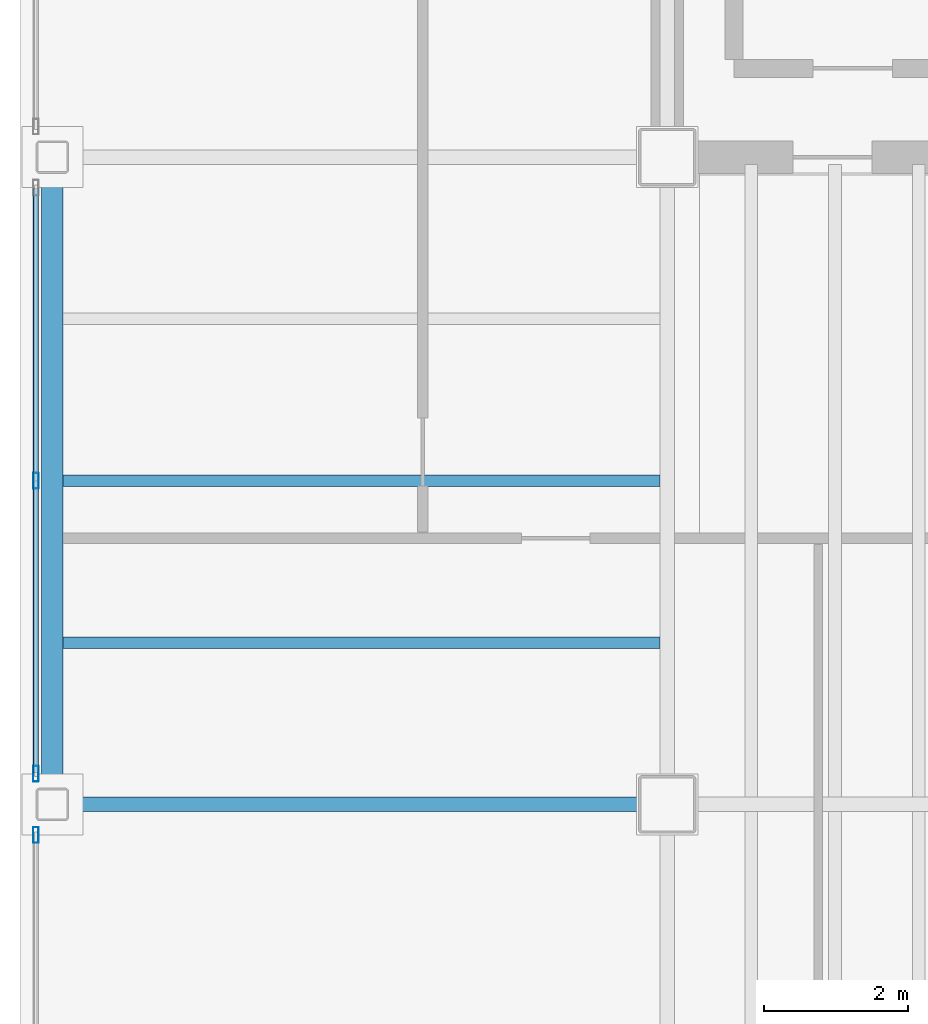
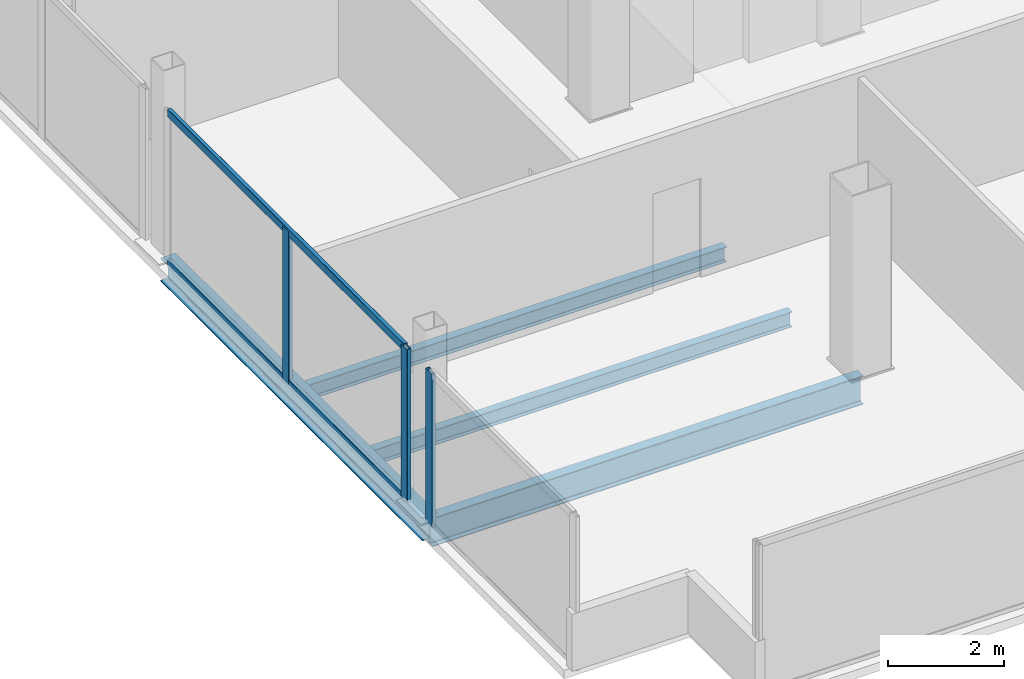
# One storey, part 4 of 16: 5 members, 4 beams, 2 elements without a shape of their own.
"""IFC4 building model written with IfcOpenShell, lengths in metres."""

from ifc_helpers import new_model, si_unit, direction, frame, origin, origin_2d, place, context, subcontext, project, spatial, hollow_rectangle, i_section, extrude, material, material_profile, profile_set, type_object, element, aggregate, save


model = new_model("IFC4")

# Units and contexts
model_context = context("Model", 3, precision=1e-05, world=origin(), true_north=direction((0.0, 1.0)))
body_context = subcontext(model_context, "Body", "Model", "MODEL_VIEW")
ifc_project = project(units=[si_unit("LENGTHUNIT", "METRE"), si_unit("AREAUNIT", "SQUARE_METRE"), si_unit("VOLUMEUNIT", "CUBIC_METRE"), si_unit("PLANEANGLEUNIT", "RADIAN"), si_unit("MASSUNIT", "GRAM", prefix="KILO")], contexts=[model_context])

# Site, building, storey
site_placement = place(None, origin())
site = spatial("IfcSite", under=ifc_project, at=site_placement, CompositionType="ELEMENT")
building_placement = place(site_placement, origin())
building = spatial("IfcBuilding", under=site, at=building_placement, Name="Noeulbin Bourse Tower", CompositionType="ELEMENT")
storey_placement = place(building_placement, frame((0.0, 0.0, 238.39990234375)))
storey = spatial("IfcBuildingStorey", under=building, at=storey_placement, Name="L59", CompositionType="ELEMENT", Elevation=238.39990234375)

# Beams
ifc_material_1 = material(Name="Steel S355", Category="steel")
ifc_material_profile_1 = material_profile(ifc_material_1, i_section(OverallWidth=0.199951171875, OverallDepth=0.60009765625, WebThickness=0.010986328125, FlangeThickness=0.01708984375, FilletRadius=0.02197265625, at=origin_2d()), Name="H-600x200x11x17", Category="LoadBearing")
ifc_profile_set_1 = profile_set([ifc_material_profile_1], Name="Steel S355")
beam_type_1 = type_object("IfcBeamType", Name="BM-GRD-600", PredefinedType="USERDEFINED", material=ifc_profile_set_1)
beam_1_placement = place(storey_placement, frame((4.949951171875, 20.0, -0.47998046875), z_axis=(1.0, 0.0, 0.0), x_axis=(0.0, 1.0, 0.0)))
element("IfcBeam", 1, at=beam_1_placement, inside=storey, type_object=beam_type_1, Name="Tower Primary Girder EW L59-1.1", ObjectType="GIRDER", PredefinedType="USERDEFINED", context=body_context, shape_type="SweptSolid", body=[
    extrude(i_section(OverallWidth=0.199951171875, OverallDepth=0.60009765625, WebThickness=0.010986328125, FlangeThickness=0.01708984375, FilletRadius=0.02197265625, at=origin_2d()), origin(), (0.0, 0.0, 1.0), 8.550048828125),
])
ifc_material_profile_2 = material_profile(ifc_material_1, i_section(OverallWidth=0.159912109375, OverallDepth=0.320068359375, WebThickness=0.006591796875, FlangeThickness=0.010009765625, FilletRadius=0.012939453125, at=origin_2d()), Name="H-320x160x6.5x10", Category="LoadBearing")
ifc_profile_set_2 = profile_set([ifc_material_profile_2], Name="Steel S355")
beam_type_2 = type_object("IfcBeamType", Name="BM-JST-320", PredefinedType="JOIST", material=ifc_profile_set_2)
for number, where, z_axis, x_axis, name in (
    (2, (5.10009765625, 22.25, -0.33984375), (1.0, 0.0, 0.0), (0.0, 1.0, 0.0), "Wing Composite Joist L59-W37"),
    (3, (5.10009765625, 24.5, -0.33984375), (1.0, 0.0, 0.0), (0.0, 1.0, 0.0), "Wing Composite Joist L59-W38"),
):
    element("IfcBeam", number, at=place(storey_placement, frame(where, z_axis=z_axis, x_axis=x_axis)), inside=storey, type_object=beam_type_2, Name=name, PredefinedType="JOIST", context=body_context, shape_type="SweptSolid", body=[
        extrude(i_section(OverallWidth=0.159912109375, OverallDepth=0.320068359375, WebThickness=0.006591796875, FlangeThickness=0.010009765625, FilletRadius=0.012939453125, at=origin_2d()), origin(), (0.0, 0.0, 1.0), 8.2998046875),
    ])
ifc_material_profile_3 = material_profile(ifc_material_1, i_section(OverallWidth=0.300048828125, OverallDepth=0.488037109375, WebThickness=0.010986328125, FlangeThickness=0.01806640625, FilletRadius=0.02197265625, at=origin_2d()), Name="H-488x300x11x18", Category="LoadBearing")
ifc_profile_set_3 = profile_set([ifc_material_profile_3], Name="Steel S355")
beam_type_3 = type_object("IfcBeamType", Name="BM-SPN-488", PredefinedType="SPANDREL", material=ifc_profile_set_3)
beam_2_placement = place(storey_placement, frame((4.949951171875, 20.0, -0.423828125), z_axis=(0.0, 1.0, 0.0), x_axis=(-1.0, 0.0, 0.0)))
element("IfcBeam", 4, at=beam_2_placement, inside=storey, type_object=beam_type_3, Name="West Spandrel L59-1", PredefinedType="SPANDREL", context=body_context, shape_type="SweptSolid", body=[
    extrude(i_section(OverallWidth=0.300048828125, OverallDepth=0.488037109375, WebThickness=0.010986328125, FlangeThickness=0.01806640625, FilletRadius=0.02197265625, at=origin_2d()), origin(), (0.0, 0.0, 1.0), 9.0),
])

# Curtain wall, member
ifc_material_2 = material(Name="High-Selectivity Low-Iron Glazing", Category="glass")
curtain_wall_type = type_object("IfcCurtainWallType", Name="CW-SYS-4", PredefinedType="NOTDEFINED", material=ifc_material_2)
curtain_wall_1_placement = place(storey_placement, origin())
curtain_wall_1 = element("IfcCurtainWall", 5, at=curtain_wall_1_placement, inside=storey, type_object=curtain_wall_type, Name="Unitised Curtain Wall CW-L59-W-S1", PredefinedType="NOTDEFINED")
ifc_material_3 = material(Name="Anodised Aluminium 6063-T6", Category="aluminium")
ifc_material_profile_4 = material_profile(ifc_material_3, hollow_rectangle(XDim=0.074951171875, YDim=0.219970703125, WallThickness=0.0048828125, InnerFilletRadius=0.00244140625, OuterFilletRadius=0.0048828125, at=origin_2d()), Name="ALU-MULL-75x220x5", Category="LoadBearing")
ifc_profile_set_4 = profile_set([ifc_material_profile_4], Name="Anodised Aluminium 6063-T6")
member_type_1 = type_object("IfcMemberType", Name="CW-SYS-4-MUL", PredefinedType="MULLION", material=ifc_profile_set_4)
member_1_placement = place(storey_placement, frame((4.719970703125, 19.574951171875, -0.02001953125), z_axis=(0.0, 0.0, 1.0), x_axis=(1.0, 0.0, 0.0)))
member_1 = element("IfcMember", 6, at=member_1_placement, type_object=member_type_1, Name="Curtain Wall Mullion CW-L59-W-S1-M01", PredefinedType="MULLION", context=body_context, shape_type="SweptSolid", body=[
    extrude(hollow_rectangle(XDim=0.074951171875, YDim=0.219970703125, WallThickness=0.0048828125, InnerFilletRadius=0.00244140625, OuterFilletRadius=0.0048828125, at=origin_2d()), origin(), (0.0, 0.0, 1.0), 3.22021484375),
])
aggregate(curtain_wall_1, [member_1])

# Curtain wall, members
curtain_wall_2_placement = place(storey_placement, origin())
curtain_wall_2 = element("IfcCurtainWall", 7, at=curtain_wall_2_placement, inside=storey, type_object=curtain_wall_type, Name="Unitised Curtain Wall CW-L59-W-S2", PredefinedType="NOTDEFINED")
member_2_placement = place(storey_placement, frame((4.719970703125, 20.425048828125, -0.02001953125), z_axis=(0.0, 0.0, 1.0), x_axis=(1.0, 0.0, 0.0)))
member_2 = element("IfcMember", 8, at=member_2_placement, type_object=member_type_1, Name="Curtain Wall Mullion CW-L59-W-S2-M00", PredefinedType="MULLION", context=body_context, shape_type="SweptSolid", body=[
    extrude(hollow_rectangle(XDim=0.074951171875, YDim=0.219970703125, WallThickness=0.0048828125, InnerFilletRadius=0.00244140625, OuterFilletRadius=0.0048828125, at=origin_2d()), origin(), (0.0, 0.0, 1.0), 3.22021484375),
])
member_3_placement = place(storey_placement, frame((4.719970703125, 24.5, -0.02001953125), z_axis=(0.0, 0.0, 1.0), x_axis=(1.0, 0.0, 0.0)))
member_3 = element("IfcMember", 9, at=member_3_placement, type_object=member_type_1, Name="Curtain Wall Mullion CW-L59-W-S2-M01", PredefinedType="MULLION", context=body_context, shape_type="SweptSolid", body=[
    extrude(hollow_rectangle(XDim=0.074951171875, YDim=0.219970703125, WallThickness=0.0048828125, InnerFilletRadius=0.00244140625, OuterFilletRadius=0.0048828125, at=origin_2d()), origin(), (0.0, 0.0, 1.0), 3.22021484375),
])
ifc_material_profile_5 = material_profile(ifc_material_3, hollow_rectangle(XDim=0.074951171875, YDim=0.159912109375, WallThickness=0.0048828125, InnerFilletRadius=0.00244140625, OuterFilletRadius=0.0048828125, at=origin_2d()), Name="ALU-TRAN-75x160x5", Category="LoadBearing")
ifc_profile_set_5 = profile_set([ifc_material_profile_5], Name="Anodised Aluminium 6063-T6")
member_type_2 = type_object("IfcMemberType", Name="CW-SYS-4-TRN", PredefinedType="USERDEFINED", material=ifc_profile_set_5)
member_4_placement = place(storey_placement, frame((4.719970703125, 20.43505859375, 0.010009765625), z_axis=(0.0, 1.0, 0.0), x_axis=(-1.0, 0.0, 0.0)))
member_4 = element("IfcMember", 10, at=member_4_placement, type_object=member_type_2, Name="Curtain Wall Transom CW-L59-W-S2-T00", ObjectType="TRANSOM", PredefinedType="USERDEFINED", context=body_context, shape_type="SweptSolid", body=[
    extrude(hollow_rectangle(XDim=0.074951171875, YDim=0.159912109375, WallThickness=0.0048828125, InnerFilletRadius=0.00244140625, OuterFilletRadius=0.0048828125, at=origin_2d()), origin(), (0.0, 0.0, 1.0), 8.1298828125),
])
member_5_placement = place(storey_placement, frame((4.719970703125, 20.43505859375, 3.170166015625), z_axis=(0.0, 1.0, 0.0), x_axis=(-1.0, 0.0, 0.0)))
member_5 = element("IfcMember", 11, at=member_5_placement, type_object=member_type_2, Name="Curtain Wall Transom CW-L59-W-S2-T01", ObjectType="TRANSOM", PredefinedType="USERDEFINED", context=body_context, shape_type="SweptSolid", body=[
    extrude(hollow_rectangle(XDim=0.074951171875, YDim=0.159912109375, WallThickness=0.0048828125, InnerFilletRadius=0.00244140625, OuterFilletRadius=0.0048828125, at=origin_2d()), origin(), (0.0, 0.0, 1.0), 8.1298828125),
])
aggregate(curtain_wall_2, [member_2, member_3, member_4, member_5])

save(model, "model.ifc")
